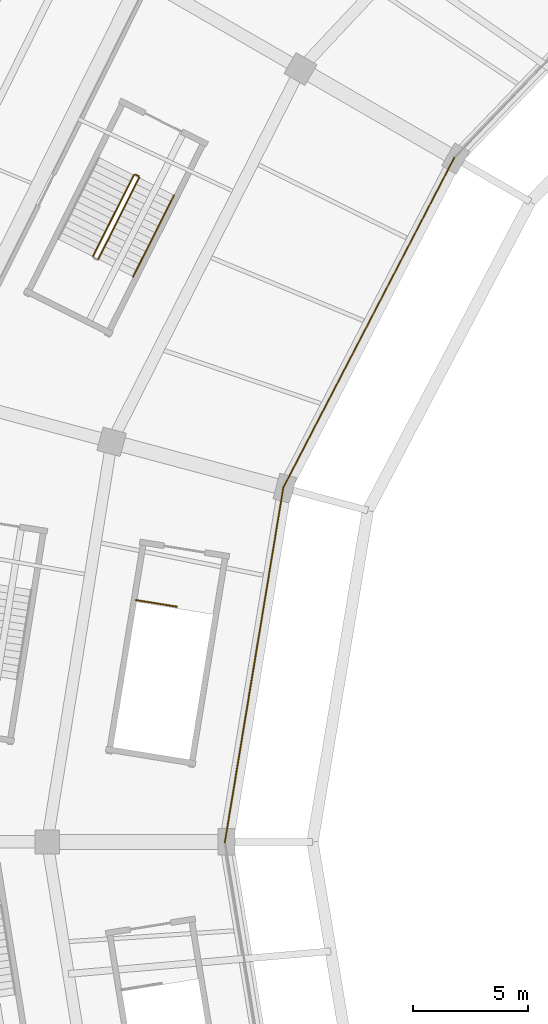
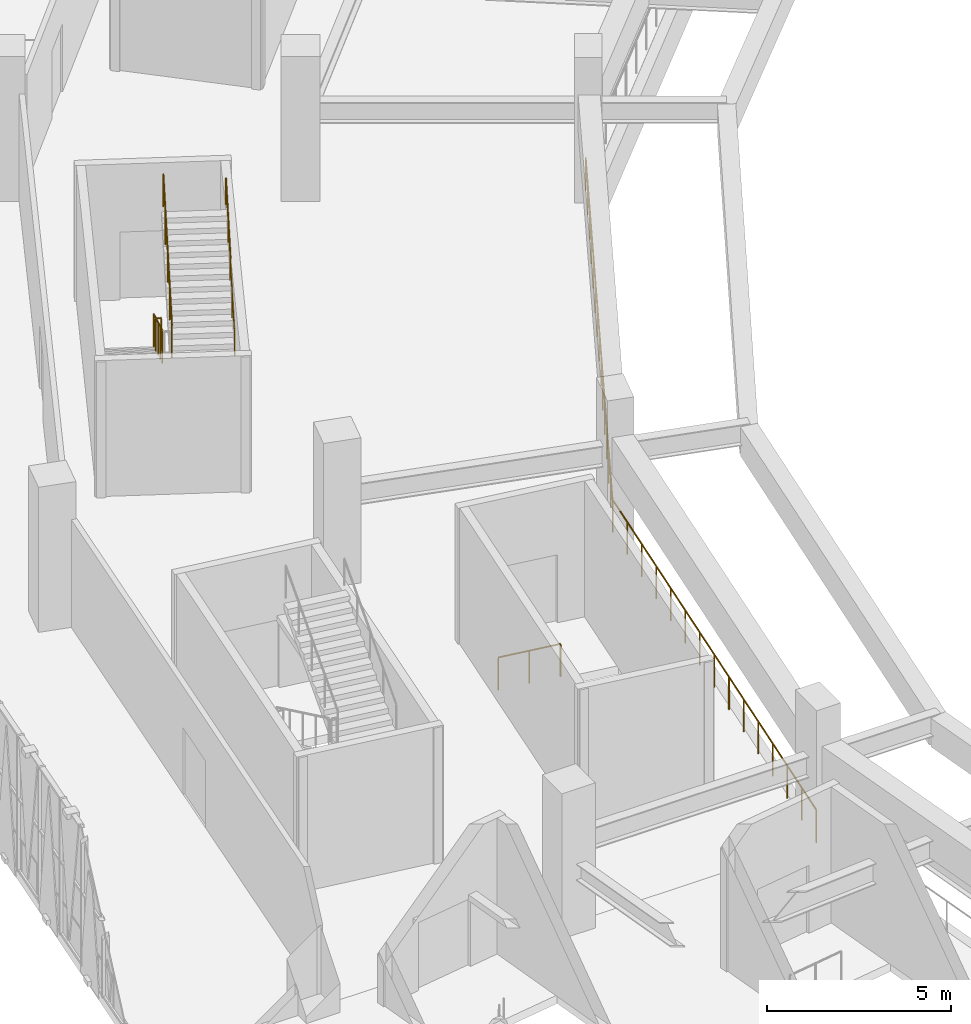
# One storey, part 141 of 179: 7 railings.
"""IFC4 building model written with IfcOpenShell, lengths in metres."""

import ifcopenshell
import ifcopenshell.guid

model = None  # the IFC model being written
_history = None  # IfcOwnerHistory: only IFC2X3 demands one
_inside = {}  # id of a spatial element -> (the spatial element, [elements in it])
_under = {}  # id of a project, library or spatial element -> (it, [spatial elements below it])
_declared = {}  # id of a project -> (the project, [libraries it declares])
_typed = {}  # id of a type object -> (the type object, [elements of that type])
_made_of = {}  # id of a material, layer set ... -> (it, [elements and type objects made of it])


def new_model(schema):
    """Start an empty IFC model of exactly this schema.

    Asked for "IFC4X3", IfcOpenShell would pick the latest addendum, in which some entities
    have other attributes; the version numbers below select the first issue.
    IFC2X3 requires an IfcOwnerHistory on every rooted entity: one is made here for all.
    """
    global model, _history
    if schema == "IFC4X3":
        model = ifcopenshell.file(schema_version=(4, 3, 0, 0))
    else:
        model = ifcopenshell.file(schema=schema)
    _inside.clear()
    _under.clear()
    _declared.clear()
    _typed.clear()
    _made_of.clear()
    _history = None
    if model.schema == "IFC2X3":
        org = make("IfcOrganization", Name="unknown")
        user = make(
            "IfcPersonAndOrganization",
            ThePerson=make("IfcPerson", FamilyName="unknown"),
            TheOrganization=org,
        )
        app = make(
            "IfcApplication",
            ApplicationDeveloper=org,
            Version="unknown",
            ApplicationFullName="unknown",
            ApplicationIdentifier="unknown",
        )
        _history = make(
            "IfcOwnerHistory",
            OwningUser=user,
            OwningApplication=app,
            ChangeAction="ADDED",
            CreationDate=0,
        )
    return model


def make(cls, **values):
    """One entity of the class cls with the attributes given. An attribute that is None is left unset."""
    return model.create_entity(
        cls, **{name: value for name, value in values.items() if value is not None}
    )


def rooted(cls, **values):
    """An entity with a GlobalId (a new one), such as an element, a storey or a relation."""
    return make(cls, GlobalId=ifcopenshell.guid.new(), OwnerHistory=_history, **values)


def si_unit(unit_type, name, prefix=None):
    """IfcSIUnit, for example si_unit("LENGTHUNIT", "METRE", prefix="MILLI")."""
    return make("IfcSIUnit", UnitType=unit_type, Prefix=prefix, Name=name)


def assignment(units):
    """IfcUnitAssignment: the units of a project."""
    return None if units is None else make("IfcUnitAssignment", Units=units)


def point(xyz):
    """IfcCartesianPoint."""
    return None if xyz is None else make("IfcCartesianPoint", Coordinates=xyz)


def direction(xyz):
    """IfcDirection."""
    return None if xyz is None else make("IfcDirection", DirectionRatios=xyz)


def frame(location, z_axis=None, x_axis=None):
    """IfcAxis2Placement3D, a coordinate frame: its origin and axes. An axis left out is left unset."""
    return make(
        "IfcAxis2Placement3D",
        Location=point(location),
        Axis=direction(z_axis),
        RefDirection=direction(x_axis),
    )


def frame_2d(location, x_axis=None):
    """IfcAxis2Placement2D, a coordinate frame in the plane: its origin and x axis."""
    return make(
        "IfcAxis2Placement2D", Location=point(location), RefDirection=direction(x_axis)
    )


def origin():
    """The frame at (0, 0, 0) with its axes left unset."""
    return frame((0.0, 0.0, 0.0))


def origin_2d():
    """The frame at (0, 0) in the plane with its x axis left unset."""
    return frame_2d((0.0, 0.0))


def place(relative_to, where):
    """IfcLocalPlacement: puts the frame where relative to a parent placement (None: the world)."""
    return make(
        "IfcLocalPlacement", PlacementRelTo=relative_to, RelativePlacement=where
    )


def context(
    kind, dimensions, precision=None, world=None, true_north=None, identifier=None
):
    """IfcGeometricRepresentationContext, for example the 3D "Model" context."""
    return make(
        "IfcGeometricRepresentationContext",
        ContextIdentifier=identifier,
        ContextType=kind,
        CoordinateSpaceDimension=dimensions,
        Precision=precision,
        WorldCoordinateSystem=world,
        TrueNorth=true_north,
    )


def subcontext(parent, identifier, kind, view, scale=None):
    """IfcGeometricRepresentationSubContext, for example "Body" below "Model"."""
    return make(
        "IfcGeometricRepresentationSubContext",
        ContextIdentifier=identifier,
        ContextType=kind,
        ParentContext=parent,
        TargetScale=scale,
        TargetView=view,
    )


def project(units=None, contexts=None):
    """IfcProject with its units and contexts."""
    return rooted(
        "IfcProject",
        Name="project",
        RepresentationContexts=contexts,
        UnitsInContext=assignment(units),
    )


def spatial(cls, under=None, at=None, **own):
    """A site, building, storey or space (cls), placed at a placement, below another one or the project."""
    s = rooted(cls, ObjectPlacement=at, **own)
    if under is not None:
        _under.setdefault(under.id(), (under, []))[1].append(s)
    return s


def profile(cls, at=None, kind="AREA", **sizes):
    """A parametric profile (cls). Its sizes go by their IFC names, for example OverallWidth=200.0."""
    return make(cls, ProfileType=kind, Position=at, **sizes)


def circle(**sizes):
    """IfcCircleProfileDef."""
    return profile("IfcCircleProfileDef", **sizes)


def extrude(swept, where, along, depth):
    """IfcExtrudedAreaSolid: the profile swept, set in the frame where, extruded along a direction by depth."""
    return make(
        "IfcExtrudedAreaSolid",
        SweptArea=swept,
        Position=where,
        ExtrudedDirection=direction(along),
        Depth=depth,
    )


def shape(context_of_items, identifier, shape_type, items):
    """IfcShapeRepresentation: the items that make up one representation, for example the "Body"."""
    return make(
        "IfcShapeRepresentation",
        ContextOfItems=context_of_items,
        RepresentationIdentifier=identifier,
        RepresentationType=shape_type,
        Items=items,
    )


def material(Name=None, Category=None):
    """IfcMaterial."""
    return make("IfcMaterial", Name=Name, Category=Category)


def made_of(thing, what):
    """Note that an element or type object is made of a material, layer set ...; save() writes the relation."""
    if what is not None:
        _made_of.setdefault(what.id(), (what, []))[1].append(thing)
    return thing


def type_object(cls, material=None, **own):
    """A type object (cls), such as IfcWallType, which elements share."""
    return made_of(rooted(cls, **own), material)


def element(
    cls,
    number,
    at=None,
    inside=None,
    cuts=None,
    type_object=None,
    material=None,
    context=None,
    identifier="Body",
    shape_type=None,
    held_by="IfcProductDefinitionShape",
    body=None,
    shapes=None,
    **own,
):
    """One element of the class cls, such as IfcWall. Its Tag is "e" and its number.

    at: its placement. inside: the storey or other place that contains it. cuts: it is an
    opening in that element (IfcRelVoidsElement). A single representation is given by context,
    identifier, shape_type and body (its items); several are given by shapes. held_by: the class
    of the entity that holds the representations. save() writes the other relations.
    """
    e = rooted(cls, Tag="e%d" % number, ObjectPlacement=at, **own)
    if body is not None:
        shapes = [shape(context, identifier, shape_type, body)]
    if shapes is not None:
        e.Representation = make(held_by, Representations=shapes)
    if inside is not None:
        _inside.setdefault(inside.id(), (inside, []))[1].append(e)
    if cuts is not None:
        rooted(
            "IfcRelVoidsElement", RelatingBuildingElement=cuts, RelatedOpeningElement=e
        )
    if type_object is not None:
        _typed.setdefault(type_object.id(), (type_object, []))[1].append(e)
    return made_of(e, material)


def aggregate(whole, parts):
    """IfcRelAggregates: a whole, such as a stair, and the parts it consists of."""
    return rooted("IfcRelAggregates", RelatingObject=whole, RelatedObjects=parts)


def save(model, path):
    """Write the relations noted so far, then the file.

    IfcRelAggregates (storeys below a building ...), IfcRelContainedInSpatialStructure (elements
    in a storey), IfcRelDefinesByType, IfcRelAssociatesMaterial and IfcRelDeclares: one each for
    every whole, place, type object, material and project.
    """
    for whole, parts in _under.values():
        aggregate(whole, parts)
    for where, things in _inside.values():
        rooted(
            "IfcRelContainedInSpatialStructure",
            RelatedElements=things,
            RelatingStructure=where,
        )
    for kind, things in _typed.values():
        rooted("IfcRelDefinesByType", RelatedObjects=things, RelatingType=kind)
    for what, things in _made_of.values():
        rooted("IfcRelAssociatesMaterial", RelatedObjects=things, RelatingMaterial=what)
    for by, libraries in _declared.values():
        rooted("IfcRelDeclares", RelatingContext=by, RelatedDefinitions=libraries)
    model.write(path)


model = new_model("IFC4")

# Units and contexts
model_context = context("Model", 3, precision=1e-05, world=origin(), true_north=direction((0.0, 1.0)))
body_context = subcontext(model_context, "Body", "Model", "MODEL_VIEW")
ifc_project = project(units=[si_unit("LENGTHUNIT", "METRE"), si_unit("AREAUNIT", "SQUARE_METRE"), si_unit("VOLUMEUNIT", "CUBIC_METRE"), si_unit("PLANEANGLEUNIT", "RADIAN"), si_unit("MASSUNIT", "GRAM", prefix="KILO")], contexts=[model_context])

# Site, building, storey
site_placement = place(None, origin())
site = spatial("IfcSite", under=ifc_project, at=site_placement, CompositionType="ELEMENT")
building_placement = place(site_placement, origin())
building = spatial("IfcBuilding", under=site, at=building_placement, Name="Zevraka Park Crest Stadium", CompositionType="ELEMENT")
storey_placement = place(building_placement, frame((0.0, 0.0, 10.199951171875)))
storey = spatial("IfcBuildingStorey", under=building, at=storey_placement, Name="L02", CompositionType="ELEMENT", Elevation=10.199951171875)

# Railings
ifc_material_1 = material(Name="Galvanised and bronze-finished steel balustrade", Category="steel")
railing_type_1 = type_object("IfcRailingType", Name="GR01", PredefinedType="GUARDRAIL", material=ifc_material_1)
railing_1_placement = place(storey_placement, frame((47.426025390625, 121.79296875, 0.0)))
element("IfcRailing", 1, at=railing_1_placement, inside=storey, type_object=railing_type_1, Name="Deck Edge Protection Guardrail GR01 L02-73", PredefinedType="GUARDRAIL", context=body_context, shape_type="SweptSolid", body=[
    extrude(circle(Radius=0.02392578125, at=origin_2d()), frame((0.0, 0.0, 1.076171875), z_axis=(-0.460476270862, -0.887672013737, 0.0), x_axis=(0.887672013737, -0.460476270862, 0.0)), (0.0, 0.0, 1.0), 16.168212890625),
    extrude(circle(Radius=0.02099609375, at=origin_2d()), origin(), (0.0, 0.0, 1.0), 1.052001953125),
    extrude(circle(Radius=0.02099609375, at=origin_2d()), frame((-0.53173828125, -1.025146484375, 0.0)), (0.0, 0.0, 1.0), 1.052001953125),
    extrude(circle(Radius=0.02099609375, at=origin_2d()), frame((-1.0634765625, -2.05029296875, 0.0)), (0.0, 0.0, 1.0), 1.052001953125),
    extrude(circle(Radius=0.02099609375, at=origin_2d()), frame((-1.595458984375, -3.075439453125, 0.0)), (0.0, 0.0, 1.0), 1.052001953125),
    extrude(circle(Radius=0.02099609375, at=origin_2d()), frame((-2.127197265625, -4.1005859375, 0.0)), (0.0, 0.0, 1.0), 1.052001953125),
    extrude(circle(Radius=0.02099609375, at=origin_2d()), frame((-2.658935546875, -5.125732421875, 0.0)), (0.0, 0.0, 1.0), 1.052001953125),
    extrude(circle(Radius=0.02099609375, at=origin_2d()), frame((-3.190673828125, -6.15087890625, 0.0)), (0.0, 0.0, 1.0), 1.052001953125),
    extrude(circle(Radius=0.02099609375, at=origin_2d()), frame((-3.72265625, -7.176025390625, 0.0)), (0.0, 0.0, 1.0), 1.052001953125),
    extrude(circle(Radius=0.02099609375, at=origin_2d()), frame((-4.25439453125, -8.201171875, 0.0)), (0.0, 0.0, 1.0), 1.052001953125),
    extrude(circle(Radius=0.02099609375, at=origin_2d()), frame((-4.7861328125, -9.226318359375, 0.0)), (0.0, 0.0, 1.0), 1.052001953125),
    extrude(circle(Radius=0.02099609375, at=origin_2d()), frame((-5.31787109375, -10.25146484375, 0.0)), (0.0, 0.0, 1.0), 1.052001953125),
    extrude(circle(Radius=0.02099609375, at=origin_2d()), frame((-5.849609375, -11.276611328125, 0.0)), (0.0, 0.0, 1.0), 1.052001953125),
    extrude(circle(Radius=0.02099609375, at=origin_2d()), frame((-6.381591796875, -12.3017578125, 0.0)), (0.0, 0.0, 1.0), 1.052001953125),
    extrude(circle(Radius=0.02099609375, at=origin_2d()), frame((-6.913330078125, -13.326904296875, 0.0)), (0.0, 0.0, 1.0), 1.052001953125),
    extrude(circle(Radius=0.02099609375, at=origin_2d()), frame((-7.445068359375, -14.35205078125, 0.0)), (0.0, 0.0, 1.0), 1.052001953125),
])
railing_2_placement = place(storey_placement, frame((39.98095703125, 107.44091796875, 0.0)))
element("IfcRailing", 2, at=railing_2_placement, inside=storey, type_object=railing_type_1, Name="Deck Edge Protection Guardrail GR01 L02-74", PredefinedType="GUARDRAIL", context=body_context, shape_type="SweptSolid", body=[
    extrude(circle(Radius=0.02392578125, at=origin_2d()), frame((0.0, 0.0, 1.076171875), z_axis=(-0.162589781012, -0.986693753457, 0.0), x_axis=(0.986693753457, -0.162589781012, 0.0)), (0.0, 0.0, 1.0), 15.67041015625),
    extrude(circle(Radius=0.02099609375, at=origin_2d()), origin(), (0.0, 0.0, 1.0), 1.052001953125),
    extrude(circle(Radius=0.02099609375, at=origin_2d()), frame((-0.181884765625, -1.1044921875, 0.0)), (0.0, 0.0, 1.0), 1.052001953125),
    extrude(circle(Radius=0.02099609375, at=origin_2d()), frame((-0.364013671875, -2.208740234375, 0.0)), (0.0, 0.0, 1.0), 1.052001953125),
    extrude(circle(Radius=0.02099609375, at=origin_2d()), frame((-0.5458984375, -3.313232421875, 0.0)), (0.0, 0.0, 1.0), 1.052001953125),
    extrude(circle(Radius=0.02099609375, at=origin_2d()), frame((-0.72802734375, -4.417724609375, 0.0)), (0.0, 0.0, 1.0), 1.052001953125),
    extrude(circle(Radius=0.02099609375, at=origin_2d()), frame((-0.909912109375, -5.522216796875, 0.0)), (0.0, 0.0, 1.0), 1.052001953125),
    extrude(circle(Radius=0.02099609375, at=origin_2d()), frame((-1.092041015625, -6.62646484375, 0.0)), (0.0, 0.0, 1.0), 1.052001953125),
    extrude(circle(Radius=0.02099609375, at=origin_2d()), frame((-1.27392578125, -7.73095703125, 0.0)), (0.0, 0.0, 1.0), 1.052001953125),
    extrude(circle(Radius=0.02099609375, at=origin_2d()), frame((-1.455810546875, -8.83544921875, 0.0)), (0.0, 0.0, 1.0), 1.052001953125),
    extrude(circle(Radius=0.02099609375, at=origin_2d()), frame((-1.637939453125, -9.939697265625, 0.0)), (0.0, 0.0, 1.0), 1.052001953125),
    extrude(circle(Radius=0.02099609375, at=origin_2d()), frame((-1.81982421875, -11.044189453125, 0.0)), (0.0, 0.0, 1.0), 1.052001953125),
    extrude(circle(Radius=0.02099609375, at=origin_2d()), frame((-2.001953125, -12.148681640625, 0.0)), (0.0, 0.0, 1.0), 1.052001953125),
    extrude(circle(Radius=0.02099609375, at=origin_2d()), frame((-2.183837890625, -13.253173828125, 0.0)), (0.0, 0.0, 1.0), 1.052001953125),
    extrude(circle(Radius=0.02099609375, at=origin_2d()), frame((-2.365966796875, -14.357421875, 0.0)), (0.0, 0.0, 1.0), 1.052001953125),
    extrude(circle(Radius=0.02099609375, at=origin_2d()), frame((-2.5478515625, -15.4619140625, 0.0)), (0.0, 0.0, 1.0), 1.052001953125),
])
ifc_material_2 = material(Name="Powder-coated tubular steel stairwell guard", Category="steel")
railing_type_2 = type_object("IfcRailingType", Name="GR03", PredefinedType="GUARDRAIL", material=ifc_material_2)
railing_3_placement = place(storey_placement, frame((33.4677734375, 121.034912109375, 0.17138671875)))
element("IfcRailing", 3, at=railing_3_placement, inside=storey, type_object=railing_type_2, Name="L02 ST11 stair guard 1", PredefinedType="GUARDRAIL", context=body_context, shape_type="SweptSolid", body=[
    extrude(circle(Radius=0.02392578125, at=origin_2d()), frame((0.0, 0.0, 1.076171875), z_axis=(-0.390443708506, -0.77938447175, 0.490013832135), x_axis=(0.894082100069, -0.447903112666, 0.0)), (0.0, 0.0, 1.0), 4.54833984375),
    extrude(circle(Radius=0.02099609375, at=origin_2d()), origin(), (0.0, 0.0, 1.0), 1.052001953125),
    extrude(circle(Radius=0.02099609375, at=origin_2d()), frame((-0.44384765625, -0.88623046875, 0.55712890625)), (0.0, 0.0, 1.0), 1.052001953125),
    extrude(circle(Radius=0.02099609375, at=origin_2d()), frame((-0.887939453125, -1.7724609375, 1.1142578125)), (0.0, 0.0, 1.0), 1.052001953125),
    extrude(circle(Radius=0.02099609375, at=origin_2d()), frame((-1.33203125, -2.65869140625, 1.671630859375)), (0.0, 0.0, 1.0), 1.052001953125),
    extrude(circle(Radius=0.02099609375, at=origin_2d()), frame((-1.77587890625, -3.544921875, 2.228759765625)), (0.0, 0.0, 1.0), 1.052001953125),
])
railing_4_placement = place(storey_placement, frame((31.92431640625, 117.37353515625, 2.571533203125)))
element("IfcRailing", 4, at=railing_4_placement, inside=storey, type_object=railing_type_2, Name="L02 ST11 stair guard 3", PredefinedType="GUARDRAIL", context=body_context, shape_type="SweptSolid", body=[
    extrude(circle(Radius=0.02392578125, at=origin_2d()), frame((0.0, 0.0, 1.076171875), z_axis=(0.39045397791, 0.779404971028, 0.489973042393), x_axis=(-0.894082100069, 0.447903112666, 0.0)), (0.0, 0.0, 1.0), 4.54833984375),
    extrude(circle(Radius=0.02099609375, at=origin_2d()), origin(), (0.0, 0.0, 1.0), 1.052001953125),
    extrude(circle(Radius=0.02099609375, at=origin_2d()), frame((0.44384765625, 0.88623046875, 0.55712890625)), (0.0, 0.0, 1.0), 1.052001953125),
    extrude(circle(Radius=0.02099609375, at=origin_2d()), frame((0.887939453125, 1.7724609375, 1.1142578125)), (0.0, 0.0, 1.0), 1.052001953125),
    extrude(circle(Radius=0.02099609375, at=origin_2d()), frame((1.33203125, 2.65869140625, 1.67138671875)), (0.0, 0.0, 1.0), 1.052001953125),
    extrude(circle(Radius=0.02099609375, at=origin_2d()), frame((1.77587890625, 3.544921875, 2.228515625)), (0.0, 0.0, 1.0), 1.052001953125),
])
railing_5_placement = place(storey_placement, frame((33.534912109375, 121.057373046875, 0.0)))
element("IfcRailing", 5, at=railing_5_placement, inside=storey, type_object=railing_type_2, Name="L02 ST11 stair guard 4", PredefinedType="GUARDRAIL", context=body_context, shape_type="SweptSolid", body=[
    extrude(circle(Radius=0.02392578125, at=origin_2d()), frame((0.0, 0.0, 1.076171875), z_axis=(0.893816245171, -0.44843340628, 0.0), x_axis=(0.44843340628, 0.893816245171, 0.0)), (0.0, 0.0, 1.0), 0.16015625),
    extrude(circle(Radius=0.02099609375, at=origin_2d()), origin(), (0.0, 0.0, 1.0), 1.052001953125),
    extrude(circle(Radius=0.02099609375, at=origin_2d()), frame((0.14306640625, -0.07177734375, 0.0)), (0.0, 0.0, 1.0), 1.052001953125),
])
railing_6_placement = place(storey_placement, frame((33.562255859375, 102.53125, 0.0)))
element("IfcRailing", 6, at=railing_6_placement, inside=storey, type_object=railing_type_2, Name="L02 ST38 top well guard 1", PredefinedType="GUARDRAIL", context=body_context, shape_type="SweptSolid", body=[
    extrude(circle(Radius=0.02392578125, at=origin_2d()), frame((0.0, 0.0, 1.076171875), z_axis=(0.986992343075, -0.160767268782, 0.0), x_axis=(0.160767268782, 0.986992343075, 0.0)), (0.0, 0.0, 1.0), 1.81005859375),
    extrude(circle(Radius=0.02099609375, at=origin_2d()), origin(), (0.0, 0.0, 1.0), 1.052001953125),
    extrude(circle(Radius=0.02099609375, at=origin_2d()), frame((0.893310546875, -0.1455078125, 0.0)), (0.0, 0.0, 1.0), 1.052001953125),
    extrude(circle(Radius=0.02099609375, at=origin_2d()), frame((1.78662109375, -0.291015625, 0.0)), (0.0, 0.0, 1.0), 1.052001953125),
])
ifc_material_3 = material(Name="Brushed stainless steel continuous handrail", Category="steel")
railing_type_3 = type_object("IfcRailingType", Name="HR01", PredefinedType="HANDRAIL", material=ifc_material_3)
railing_7_placement = place(storey_placement, frame((33.4443359375, 116.612060546875, 2.571533203125)))
element("IfcRailing", 7, at=railing_7_placement, inside=storey, type_object=railing_type_3, Name="L02 ST11 stair handrail 2", PredefinedType="HANDRAIL", context=body_context, shape_type="SweptSolid", body=[
    extrude(circle(Radius=0.02392578125, at=origin_2d()), frame((0.0, 0.0, 0.8759765625), z_axis=(0.39045397791, 0.779404971028, 0.489973042393), x_axis=(-0.894082100069, 0.447903112666, 0.0)), (0.0, 0.0, 1.0), 4.54833984375),
    extrude(circle(Radius=0.02099609375, at=origin_2d()), origin(), (0.0, 0.0, 1.0), 0.851806640625),
    extrude(circle(Radius=0.02099609375, at=origin_2d()), frame((0.44384765625, 0.88623046875, 0.55712890625)), (0.0, 0.0, 1.0), 0.851806640625),
    extrude(circle(Radius=0.02099609375, at=origin_2d()), frame((0.887939453125, 1.7724609375, 1.1142578125)), (0.0, 0.0, 1.0), 0.851806640625),
    extrude(circle(Radius=0.02099609375, at=origin_2d()), frame((1.33203125, 2.65869140625, 1.67138671875)), (0.0, 0.0, 1.0), 0.851806640625),
    extrude(circle(Radius=0.02099609375, at=origin_2d()), frame((1.77587890625, 3.544921875, 2.228515625)), (0.0, 0.0, 1.0), 0.851806640625),
])

save(model, "model.ifc")
